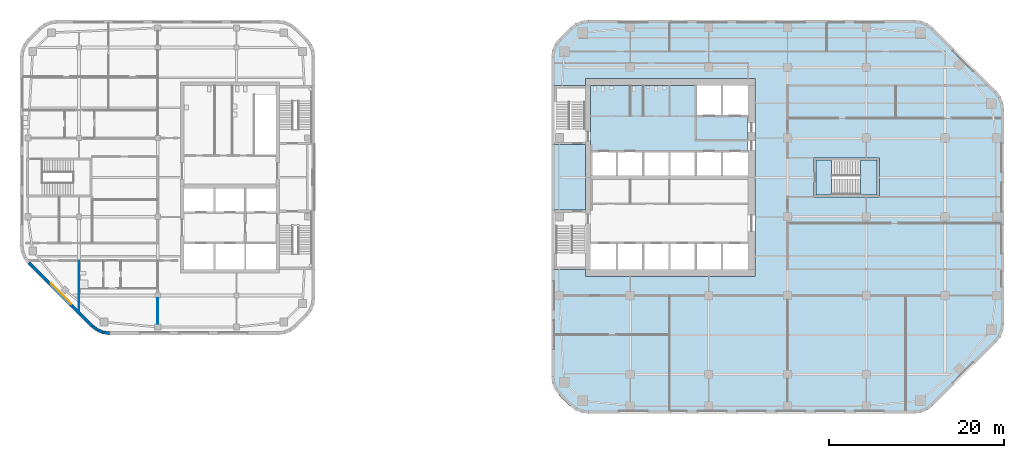
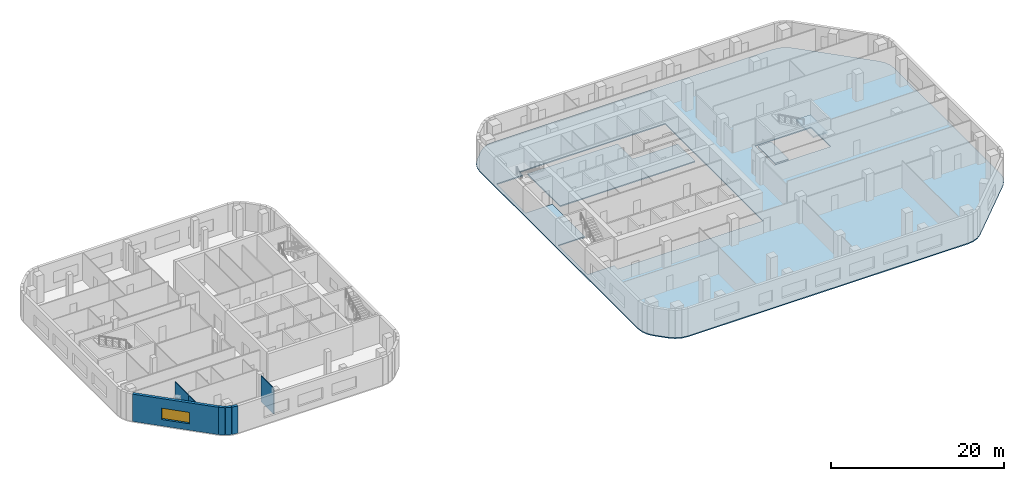
# One storey, part 4 of 14: 7 walls, 4 slabs, 1 window, 1 opening, 1 element without a shape of its own.
"""IFC4 building model written with IfcOpenShell, lengths in metres."""

from ifc_helpers import new_model, si_unit, direction, frame, frame_2d, origin, place, context, subcontext, project, spatial, polyline, rectangle, outline, extrude, material, layer, layer_set, type_object, element, fill, aggregate, save


model = new_model("IFC4")

# Units and contexts
model_context = context("Model", 3, precision=1e-05, world=origin(), true_north=direction((0.0, 1.0)))
body_context = subcontext(model_context, "Body", "Model", "MODEL_VIEW")
ifc_project = project(units=[si_unit("LENGTHUNIT", "METRE"), si_unit("AREAUNIT", "SQUARE_METRE"), si_unit("VOLUMEUNIT", "CUBIC_METRE"), si_unit("PLANEANGLEUNIT", "RADIAN"), si_unit("MASSUNIT", "GRAM", prefix="KILO")], contexts=[model_context])

# Site, building, storey
site_placement = place(None, origin())
site = spatial("IfcSite", under=ifc_project, at=site_placement, CompositionType="ELEMENT")
building_placement = place(site_placement, origin())
building = spatial("IfcBuilding", under=site, at=building_placement, Name="Cinnabar Reach Civic Tower", CompositionType="ELEMENT")
storey_placement = place(building_placement, frame((0.0, 0.0, 112.0)))
storey = spatial("IfcBuildingStorey", under=building, at=storey_placement, Name="L26", CompositionType="ELEMENT", Elevation=112.0)

# Slab
ifc_material_1 = material(Name="Concrete C40", Category="concrete")
ifc_layer_1 = layer(ifc_material_1, 0.15)
ifc_layer_set_1 = layer_set([ifc_layer_1], Name="Composite floor slab 150 REI 150")
slab_type_1 = type_object("IfcSlabType", Name="Composite floor slab 150 REI 150", PredefinedType="FLOOR", material=ifc_layer_set_1)
slab_1_placement = place(storey_placement, frame((0.0, 0.0, -0.15)))
element("IfcSlab", 1, at=slab_1_placement, inside=storey, type_object=slab_type_1, Name="Composite floor slab 150 T1 L26", PredefinedType="FLOOR", context=body_context, shape_type="SweptSolid", body=[
    extrude(outline(polyline([(0.8787, 6.6213), (0.4019, 7.2426), (0.1022, 7.9662), (0.0, 8.7426), (0.0, 45.2574), (0.1022, 46.0338), (0.4019, 46.7574), (0.8787, 47.3787), (2.1213, 48.6213), (2.7426, 49.0981), (3.4662, 49.3978), (4.2426, 49.5), (41.5074, 49.5), (42.2838, 49.3978), (43.0074, 49.0981), (43.6287, 48.6213), (50.8713, 41.3787), (51.3481, 40.7574), (51.6478, 40.0338), (51.75, 39.2574), (51.75, 14.7426), (51.6478, 13.9662), (51.3481, 13.2426), (50.8713, 12.6213), (43.6287, 5.3787), (43.0074, 4.9019), (42.2838, 4.6022), (41.5074, 4.5), (4.2426, 4.5), (3.4662, 4.6022), (2.7426, 4.9019), (2.1213, 5.3787), (0.8787, 6.6213)]), holes=[polyline([(0.36, 21.0), (3.9, 21.0), (3.9, 20.2), (23.3, 20.2), (23.3, 42.8), (3.9, 42.8), (3.9, 42.0), (0.36, 42.0), (0.36, 35.25), (3.9, 35.25), (3.9, 27.75), (0.36, 27.75), (0.36, 21.0)]), polyline([(30.0, 33.75), (30.0, 29.25), (37.5, 29.25), (37.5, 33.75), (30.0, 33.75)])]), origin(), (0.0, 0.0, 1.0), 0.15),
])

# Stair, slabs
ifc_material_2 = material(Name="Concrete C40/50", Category="concrete")
stair_type = type_object("IfcStairType", Name="T1 Exit stair, half-turn", PredefinedType="HALF_TURN_STAIR", material=ifc_material_2)
stair_placement = place(storey_placement, origin())
stair = element("IfcStair", 2, at=stair_placement, inside=storey, type_object=stair_type, Name="Stair T1-S3", PredefinedType="HALF_TURN_STAIR")
ifc_layer_2 = layer(ifc_material_2, 0.2)
ifc_layer_set_2 = layer_set([ifc_layer_2], Name="T1 Stair landing 200, Concrete C40/50")
slab_type_2 = type_object("IfcSlabType", Name="T1 Stair landing 200, Concrete C40/50", PredefinedType="LANDING", material=ifc_layer_set_2)
slab_2_placement = place(storey_placement, frame((0.0, 0.0, -0.2)))
slab_2 = element("IfcSlab", 3, at=slab_2_placement, type_object=slab_type_2, Name="T1-S3 landing 1", PredefinedType="LANDING", context=body_context, shape_type="SweptSolid", body=[
    extrude(outline(polyline([(30.25, 29.5), (32.05, 29.5), (32.05, 33.5), (30.25, 33.5), (30.25, 29.5)])), origin(), (0.0, 0.0, 1.0), 0.2),
])
slab_3_placement = place(storey_placement, frame((0.0, 0.0, 1.8)))
slab_3 = element("IfcSlab", 4, at=slab_3_placement, type_object=slab_type_2, Name="T1-S3 landing 2", PredefinedType="LANDING", context=body_context, shape_type="SweptSolid", body=[
    extrude(outline(polyline([(35.35, 29.5), (37.25, 29.5), (37.25, 33.5), (35.35, 33.5), (35.35, 29.5)])), origin(), (0.0, 0.0, 1.0), 0.2),
])
aggregate(stair, [slab_2, slab_3])

# Slab
ifc_layer_3 = layer(ifc_material_2, 0.15)
ifc_layer_set_3 = layer_set([ifc_layer_3], Name="T1 core floor slab 150")
slab_type_3 = type_object("IfcSlabType", Name="T1 core floor slab 150", PredefinedType="FLOOR", material=ifc_layer_set_3)
slab_4_placement = place(storey_placement, frame((0.0, 0.0, -0.15)))
element("IfcSlab", 5, at=slab_4_placement, inside=storey, type_object=slab_type_3, Name="Core floor slab L26", PredefinedType="FLOOR", context=body_context, shape_type="SweptSolid", body=[
    extrude(outline(polyline([(22.5, 34.5), (19.5, 34.5), (16.5, 34.5), (13.5, 34.5), (10.5, 34.5), (7.5, 34.5), (4.5, 34.5), (4.5, 42.0), (16.5, 42.0), (16.5, 38.5), (19.5, 38.5), (22.5, 38.5), (22.5, 34.5)])), origin(), (0.0, 0.0, 1.0), 0.15),
])

# Walls
ifc_material_3 = material(Name="Facing brick with insulated backing", Category="masonry")
ifc_layer_4 = layer(ifc_material_3, 0.36)
ifc_layer_set_4 = layer_set([ifc_layer_4], Name="Brick corner wall")
wall_type_1 = type_object("IfcWallType", Name="Brick corner wall", PredefinedType="STANDARD", material=ifc_layer_set_4)
wall_1_placement = place(storey_placement, frame((-52.4913, 14.5002, 0.0), z_axis=(0.0, 0.0, 1.0), x_axis=(0.793321924995, -0.608802368033, 0.0)))
element("IfcWall", 6, at=wall_1_placement, inside=storey, type_object=wall_type_1, Name="Brick corner wall", PredefinedType="STANDARD", context=body_context, shape_type="SweptSolid", body=[
    extrude(rectangle(XDim=0.7132, YDim=0.36, at=frame_2d((0.3566, 0.0))), origin(), (0.0, 0.0, 1.0), 3.85),
])
for number, where, z_axis, x_axis, name in (
    (7, (-51.9061, 14.0548, 0.0), (0.0, 0.0, 1.0), (0.923871547278, -0.382702709855, 0.0), "Brick corner wall"),
    (8, (-51.2256, 13.7761, 0.0), (0.0, 0.0, 1.0), (0.99144092581, -0.13055608231, 0.0), "Brick corner wall"),
):
    element("IfcWall", number, at=place(storey_placement, frame(where, z_axis=z_axis, x_axis=x_axis)), inside=storey, type_object=wall_type_1, Name=name, PredefinedType="STANDARD", context=body_context, shape_type="SweptSolid", body=[
        extrude(rectangle(XDim=0.7131, YDim=0.36, at=frame_2d((0.3565, 0.0))), origin(), (0.0, 0.0, 1.0), 3.85),
    ])

# Wall, opening, window
ifc_layer_5 = layer(ifc_material_3, 0.36)
ifc_layer_set_5 = layer_set([ifc_layer_5], Name="Brick pier and spandrel wall")
wall_type_2 = type_object("IfcWallType", Name="Brick pier and spandrel wall", PredefinedType="STANDARD", material=ifc_layer_set_5)
wall_2_placement = place(storey_placement, frame((-59.744, 21.7486, 0.0), z_axis=(0.0, 0.0, 1.0), x_axis=(0.707106781187, -0.707106781187, 0.0)))
wall_2 = element("IfcWall", 9, at=wall_2_placement, inside=storey, type_object=wall_type_2, Name="Brick facade wall", PredefinedType="STANDARD", context=body_context, shape_type="SweptSolid", body=[
    extrude(rectangle(XDim=10.2426, YDim=0.36, at=frame_2d((5.1213, 0.0))), origin(), (0.0, 0.0, 1.0), 3.85),
])
opening_placement = place(wall_2_placement, frame((3.4713, 0.0, 0.9)))
opening = element("IfcOpeningElement", 10, at=opening_placement, cuts=wall_2, Name="Opening W2722", PredefinedType="OPENING", context=body_context, shape_type="SweptSolid", body=[
    extrude(rectangle(XDim=3.3, YDim=1.6, at=frame_2d((1.65, 0.8))), frame((0.0, 0.19, 0.0), z_axis=(0.0, -1.0, 0.0), x_axis=(1.0, 0.0, 0.0)), (0.0, 0.0, 1.0), 0.38),
])
ifc_material_4 = material(Name="Clear double glazing in aluminium frame", Category="aluminium")
window_type = type_object("IfcWindowType", Name="Deep-set window A", PartitioningType="SINGLE_PANEL", PredefinedType="WINDOW", material=ifc_material_4)
window_placement = place(opening_placement, origin())
window = element("IfcWindow", 11, at=window_placement, inside=storey, type_object=window_type, Name="Window southwest face", OverallHeight=1.6, OverallWidth=3.3, PartitioningType="SINGLE_PANEL", PredefinedType="WINDOW", context=body_context, shape_type="SweptSolid", body=[
    extrude(rectangle(XDim=3.3, YDim=1.6, at=frame_2d((1.65, 0.8))), frame((0.0, 0.13, 0.0), z_axis=(0.0, -1.0, 0.0), x_axis=(1.0, 0.0, 0.0)), (0.0, 0.0, 1.0), 0.06),
])
fill(opening, window)

# Walls
ifc_material_5 = material(Name="Gypsum board on steel studs", Category="steel")
ifc_layer_6 = layer(ifc_material_5, 0.1)
ifc_layer_set_6 = layer_set([ifc_layer_6], Name="Partition wall 100 T2")
wall_type_3 = type_object("IfcWallType", Name="Partition wall 100 T2", PredefinedType="PARTITIONING", material=ifc_layer_set_6)
wall_3_placement = place(storey_placement, frame((-45.0, 14.75, 0.0), z_axis=(0.0, 0.0, 1.0), x_axis=(0.0, 1.0, 0.0)))
element("IfcWall", 12, at=wall_3_placement, inside=storey, type_object=wall_type_3, Name="Partition wall 20", PredefinedType="PARTITIONING", context=body_context, shape_type="SweptSolid", body=[
    extrude(rectangle(XDim=2.95, YDim=0.1, at=frame_2d((1.475, 0.0))), origin(), (0.0, 0.0, 1.0), 3.652),
])
wall_4_placement = place(storey_placement, frame((-54.0, 18.85, 0.0), z_axis=(0.0, 0.0, 1.0), x_axis=(0.0, 1.0, 0.0)))
element("IfcWall", 13, at=wall_4_placement, inside=storey, type_object=wall_type_3, Name="Partition wall 22", PredefinedType="PARTITIONING", context=body_context, shape_type="SweptSolid", body=[
    extrude(rectangle(XDim=3.075, YDim=0.1, at=frame_2d((1.5375, 0.0))), origin(), (0.0, 0.0, 1.0), 3.362),
])
wall_5_placement = place(storey_placement, frame((-54.0, 16.2591, 0.0), z_axis=(0.0, 0.0, 1.0), x_axis=(0.0, 1.0, 0.0)))
element("IfcWall", 14, at=wall_5_placement, inside=storey, type_object=wall_type_3, Name="Partition wall 23", PredefinedType="PARTITIONING", context=body_context, shape_type="SweptSolid", body=[
    extrude(rectangle(XDim=2.4909, YDim=0.1, at=frame_2d((1.2454, 0.0))), origin(), (0.0, 0.0, 1.0), 3.362),
])

save(model, "model.ifc")
